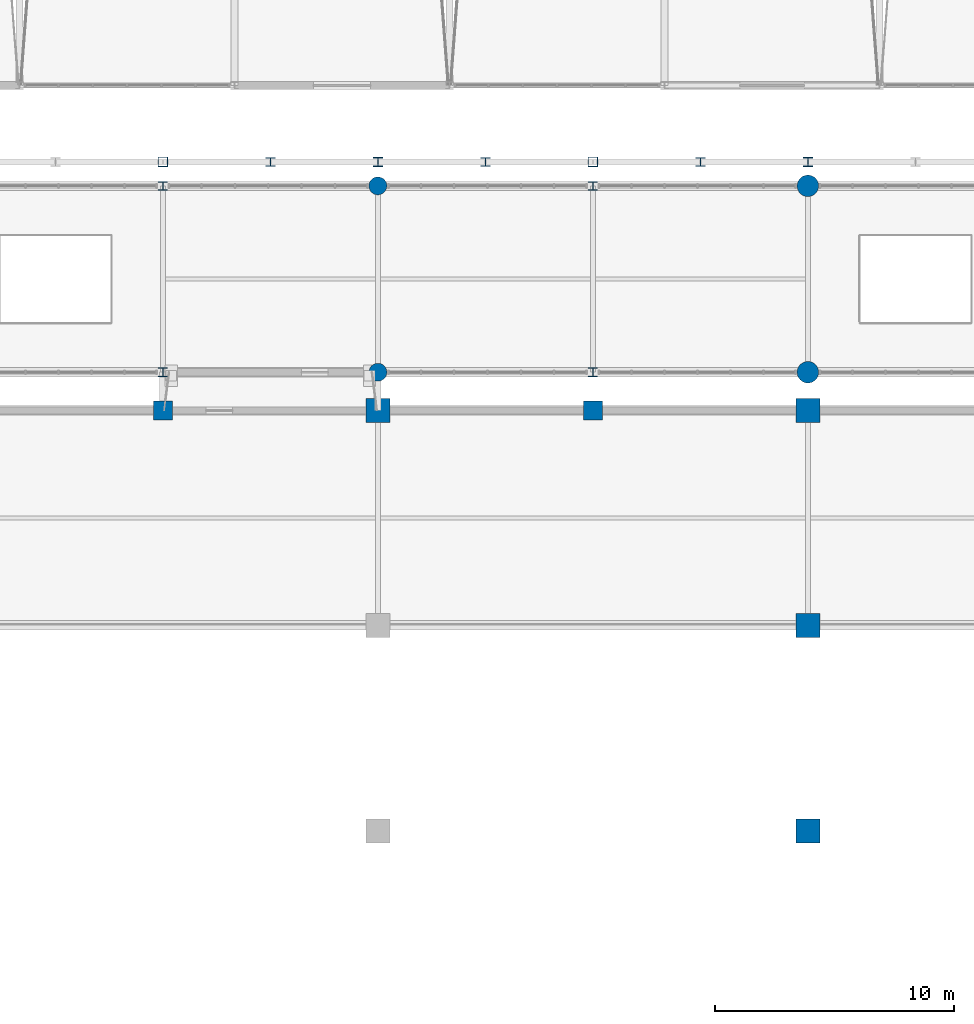
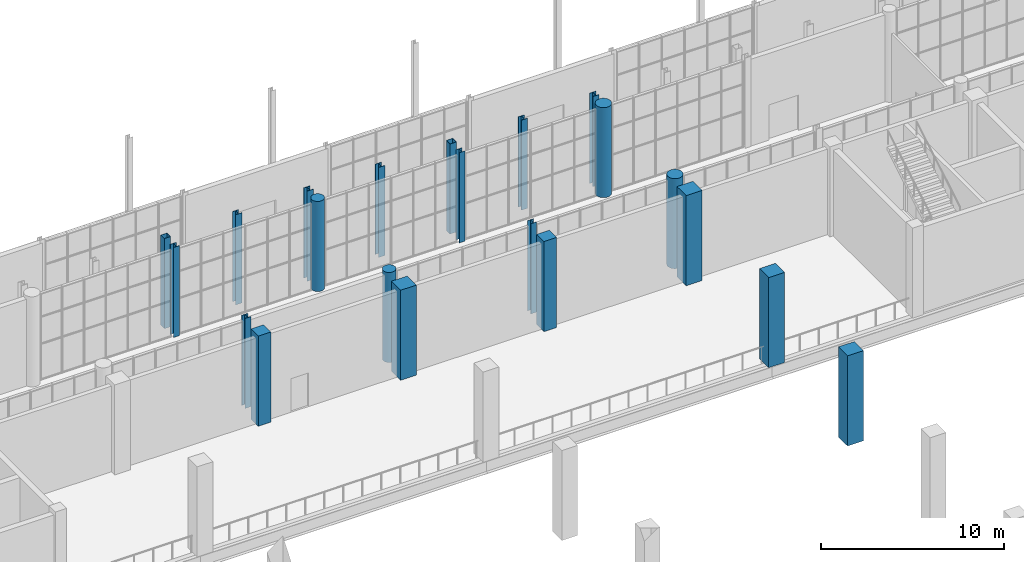
# One storey, part 7 of 159: 21 columns.
"""IFC4 building model written with IfcOpenShell, lengths in metres."""

from ifc_helpers import new_model, si_unit, direction, frame, origin, origin_2d, place, context, subcontext, project, spatial, rectangle, hollow_rectangle, circle, i_section, extrude, material, material_profile, profile_set, type_object, element, save


model = new_model("IFC4")

# Units and contexts
model_context = context("Model", 3, precision=1e-05, world=origin(), true_north=direction((0.0, 1.0)))
body_context = subcontext(model_context, "Body", "Model", "MODEL_VIEW")
ifc_project = project(units=[si_unit("LENGTHUNIT", "METRE"), si_unit("AREAUNIT", "SQUARE_METRE"), si_unit("VOLUMEUNIT", "CUBIC_METRE"), si_unit("PLANEANGLEUNIT", "RADIAN"), si_unit("MASSUNIT", "GRAM", prefix="KILO")], contexts=[model_context])

# Site, building, storey
site_placement = place(None, origin())
site = spatial("IfcSite", under=ifc_project, at=site_placement, CompositionType="ELEMENT")
building_placement = place(site_placement, origin())
building = spatial("IfcBuilding", under=site, at=building_placement, Name="Cazmaro Siding Exhibition Halls", CompositionType="ELEMENT")
storey_placement = place(building_placement, frame((0.0, 0.0, 6.0)))
storey = spatial("IfcBuildingStorey", under=building, at=storey_placement, Name="L01", CompositionType="ELEMENT", Elevation=6.0)

# Columns
ifc_material_1 = material(Name="Steel ASTM A992 Grade 50", Category="steel")
ifc_material_profile_1 = material_profile(ifc_material_1, i_section(OverallWidth=0.39208984375, OverallDepth=0.3759765625, WebThickness=0.01708984375, FlangeThickness=0.028076171875, at=origin_2d()), Name="W14X145")
ifc_profile_set_1 = profile_set([ifc_material_profile_1], Name="Steel ASTM A992 Grade 50")
column_type_1 = type_object("IfcColumnType", Name="C-03", PredefinedType="COLUMN", material=ifc_profile_set_1)
for number, where, z_axis, x_axis, name in (
    (1, (103.5, 64.0, 0.0), (0.0, 0.0, 1.0), (1.0, 0.0, 0.0), "Column C-03 COL-0080"),
    (2, (112.5, 64.0, 0.0), (0.0, 0.0, 1.0), (1.0, 0.0, 0.0), "Column C-03 COL-0092"),
    (3, (121.5, 64.0, 0.0), (0.0, 0.0, 1.0), (1.0, 0.0, 0.0), "Column C-03 COL-0104"),
):
    element("IfcColumn", number, at=place(storey_placement, frame(where, z_axis=z_axis, x_axis=x_axis)), inside=storey, type_object=column_type_1, Name=name, PredefinedType="COLUMN", context=body_context, shape_type="SweptSolid", body=[
        extrude(i_section(OverallWidth=0.39208984375, OverallDepth=0.3759765625, WebThickness=0.01708984375, FlangeThickness=0.028076171875, at=origin_2d()), origin(), (0.0, 0.0, 1.0), 6.0),
    ])
ifc_material_2 = material(Name="Concrete f'c 45 MPa", Category="concrete")
ifc_material_profile_2 = material_profile(ifc_material_2, rectangle(XDim=1.0, YDim=1.0, at=origin_2d()), Name="RC1000X1000")
ifc_profile_set_2 = profile_set([ifc_material_profile_2], Name="Concrete f'c 45 MPa")
column_type_2 = type_object("IfcColumnType", Name="C-07", PredefinedType="COLUMN", material=ifc_profile_set_2)
for number, where, z_axis, x_axis, name in (
    (4, (108.0, 53.60009765625, 0.0), (0.0, 0.0, 1.0), (1.0, 0.0, 0.0), "Column C-07 COL-0492"),
    (5, (126.0, 36.0, 0.0), (0.0, 0.0, 1.0), (1.0, 0.0, 0.0), "Column C-07 COL-0500"),
    (6, (126.0, 44.60009765625, 0.0), (0.0, 0.0, 1.0), (1.0, 0.0, 0.0), "Column C-07 COL-0502"),
    (7, (126.0, 53.60009765625, 0.0), (0.0, 0.0, 1.0), (1.0, 0.0, 0.0), "Column C-07 COL-0504"),
):
    element("IfcColumn", number, at=place(storey_placement, frame(where, z_axis=z_axis, x_axis=x_axis)), inside=storey, type_object=column_type_2, Name=name, PredefinedType="COLUMN", context=body_context, shape_type="SweptSolid", body=[
        extrude(rectangle(XDim=1.0, YDim=1.0, at=origin_2d()), origin(), (0.0, 0.0, 1.0), 6.0),
    ])
ifc_material_3 = material(Name="Concrete f'c 45 MPa", Category="concrete")
ifc_material_profile_3 = material_profile(ifc_material_3, rectangle(XDim=0.800048828125, YDim=0.800048828125, at=origin_2d()), Name="RC800X800")
ifc_profile_set_3 = profile_set([ifc_material_profile_3], Name="Concrete f'c 45 MPa")
column_type_3 = type_object("IfcColumnType", Name="C-08", PredefinedType="COLUMN", material=ifc_profile_set_3)
for number, where, z_axis, x_axis, name in (
    (8, (99.0, 53.60009765625, 0.0), (0.0, 0.0, 1.0), (1.0, 0.0, 0.0), "Column C-08 COL-0586"),
    (9, (117.0, 53.60009765625, 0.0), (0.0, 0.0, 1.0), (1.0, 0.0, 0.0), "Column C-08 COL-0598"),
):
    element("IfcColumn", number, at=place(storey_placement, frame(where, z_axis=z_axis, x_axis=x_axis)), inside=storey, type_object=column_type_3, Name=name, PredefinedType="COLUMN", context=body_context, shape_type="SweptSolid", body=[
        extrude(rectangle(XDim=0.800048828125, YDim=0.800048828125, at=origin_2d()), origin(), (0.0, 0.0, 1.0), 6.0),
    ])
ifc_material_4 = material(Name="Concrete f'c 45 MPa", Category="concrete")
ifc_material_profile_4 = material_profile(ifc_material_4, circle(Radius=0.449951171875, at=origin_2d()), Name="RC900DIA")
ifc_profile_set_4 = profile_set([ifc_material_profile_4], Name="Concrete f'c 45 MPa")
column_type_4 = type_object("IfcColumnType", Name="C-09", PredefinedType="COLUMN", material=ifc_profile_set_4)
for number, where, z_axis, x_axis, name in (
    (10, (126.0, 55.199951171875, 0.0), (0.0, 0.0, 1.0), (1.0, 0.0, 0.0), "Column C-09 COL-0766"),
    (11, (126.0, 63.0, 0.0), (0.0, 0.0, 1.0), (1.0, 0.0, 0.0), "Column C-09 COL-0769"),
):
    element("IfcColumn", number, at=place(storey_placement, frame(where, z_axis=z_axis, x_axis=x_axis)), inside=storey, type_object=column_type_4, Name=name, PredefinedType="COLUMN", context=body_context, shape_type="SweptSolid", body=[
        extrude(circle(Radius=0.449951171875, at=origin_2d()), origin(), (0.0, 0.0, 1.0), 6.0),
    ])
ifc_material_5 = material(Name="Steel ASTM A992 Grade 50", Category="steel")
ifc_material_profile_5 = material_profile(ifc_material_5, i_section(OverallWidth=0.39892578125, OverallDepth=0.386962890625, WebThickness=0.02099609375, FlangeThickness=0.032958984375, at=origin_2d()), Name="W14X176")
ifc_profile_set_5 = profile_set([ifc_material_profile_5], Name="Steel ASTM A992 Grade 50")
column_type_5 = type_object("IfcColumnType", Name="C-11", PredefinedType="COLUMN", material=ifc_profile_set_5)
for number, where, z_axis, x_axis, name in (
    (12, (108.0, 64.0, 0.0), (0.0, 0.0, 1.0), (1.0, 0.0, 0.0), "Column C-11 COL-0086"),
    (13, (126.0, 64.0, 0.0), (0.0, 0.0, 1.0), (1.0, 0.0, 0.0), "Column C-11 COL-0110"),
):
    element("IfcColumn", number, at=place(storey_placement, frame(where, z_axis=z_axis, x_axis=x_axis)), inside=storey, type_object=column_type_5, Name=name, PredefinedType="COLUMN", context=body_context, shape_type="SweptSolid", body=[
        extrude(i_section(OverallWidth=0.39892578125, OverallDepth=0.386962890625, WebThickness=0.02099609375, FlangeThickness=0.032958984375, at=origin_2d()), origin(), (0.0, 0.0, 1.0), 6.0),
    ])
ifc_material_6 = material(Name="Steel ASTM A992 Grade 50", Category="steel")
ifc_material_profile_6 = material_profile(ifc_material_6, i_section(OverallWidth=0.37109375, OverallDepth=0.364013671875, WebThickness=0.012939453125, FlangeThickness=0.02197265625, at=origin_2d()), Name="W14X109")
ifc_profile_set_6 = profile_set([ifc_material_profile_6], Name="Steel ASTM A992 Grade 50")
column_type_6 = type_object("IfcColumnType", Name="C-12", PredefinedType="COLUMN", material=ifc_profile_set_6)
for number, where, z_axis, x_axis, name in (
    (14, (99.0, 55.199951171875, 0.0), (0.0, 0.0, 1.0), (1.0, 0.0, 0.0), "Column C-12 COL-0748"),
    (15, (99.0, 63.0, 0.0), (0.0, 0.0, 1.0), (1.0, 0.0, 0.0), "Column C-12 COL-0751"),
    (16, (117.0, 55.199951171875, 0.0), (0.0, 0.0, 1.0), (1.0, 0.0, 0.0), "Column C-12 COL-0760"),
    (17, (117.0, 63.0, 0.0), (0.0, 0.0, 1.0), (1.0, 0.0, 0.0), "Column C-12 COL-0763"),
):
    element("IfcColumn", number, at=place(storey_placement, frame(where, z_axis=z_axis, x_axis=x_axis)), inside=storey, type_object=column_type_6, Name=name, PredefinedType="COLUMN", context=body_context, shape_type="SweptSolid", body=[
        extrude(i_section(OverallWidth=0.37109375, OverallDepth=0.364013671875, WebThickness=0.012939453125, FlangeThickness=0.02197265625, at=origin_2d()), origin(), (0.0, 0.0, 1.0), 6.0),
    ])
ifc_material_7 = material(Name="Steel ASTM A500 Grade C", Category="steel")
ifc_material_profile_7 = material_profile(ifc_material_7, hollow_rectangle(XDim=0.406005859375, YDim=0.406005859375, WallThickness=0.014892578125, at=origin_2d()), Name="HSS16X16X5/8")
ifc_profile_set_7 = profile_set([ifc_material_profile_7], Name="Steel ASTM A500 Grade C")
column_type_7 = type_object("IfcColumnType", Name="PL-01", PredefinedType="PILASTER", material=ifc_profile_set_7)
for number, where, z_axis, x_axis, name in (
    (18, (99.0, 64.0, 0.0), (0.0, 0.0, 1.0), (1.0, 0.0, 0.0), "Column PL-01 COL-0074"),
    (19, (117.0, 64.0, 0.0), (0.0, 0.0, 1.0), (1.0, 0.0, 0.0), "Column PL-01 COL-0098"),
):
    element("IfcColumn", number, at=place(storey_placement, frame(where, z_axis=z_axis, x_axis=x_axis)), inside=storey, type_object=column_type_7, Name=name, PredefinedType="PILASTER", context=body_context, shape_type="SweptSolid", body=[
        extrude(hollow_rectangle(XDim=0.406005859375, YDim=0.406005859375, WallThickness=0.014892578125, at=origin_2d()), origin(), (0.0, 0.0, 1.0), 6.0),
    ])
ifc_material_8 = material(Name="Concrete f'c 45 MPa", Category="concrete")
ifc_material_profile_8 = material_profile(ifc_material_8, circle(Radius=0.375, at=origin_2d()), Name="RC750DIA")
ifc_profile_set_8 = profile_set([ifc_material_profile_8], Name="Concrete f'c 45 MPa")
column_type_8 = type_object("IfcColumnType", Name="PL-03", PredefinedType="PILASTER", material=ifc_profile_set_8)
for number, where, z_axis, x_axis, name in (
    (20, (108.0, 55.199951171875, 0.0), (0.0, 0.0, 1.0), (1.0, 0.0, 0.0), "Column PL-03 COL-0754"),
    (21, (108.0, 63.0, 0.0), (0.0, 0.0, 1.0), (1.0, 0.0, 0.0), "Column PL-03 COL-0757"),
):
    element("IfcColumn", number, at=place(storey_placement, frame(where, z_axis=z_axis, x_axis=x_axis)), inside=storey, type_object=column_type_8, Name=name, PredefinedType="PILASTER", context=body_context, shape_type="SweptSolid", body=[
        extrude(circle(Radius=0.375, at=origin_2d()), origin(), (0.0, 0.0, 1.0), 6.0),
    ])

save(model, "model.ifc")
